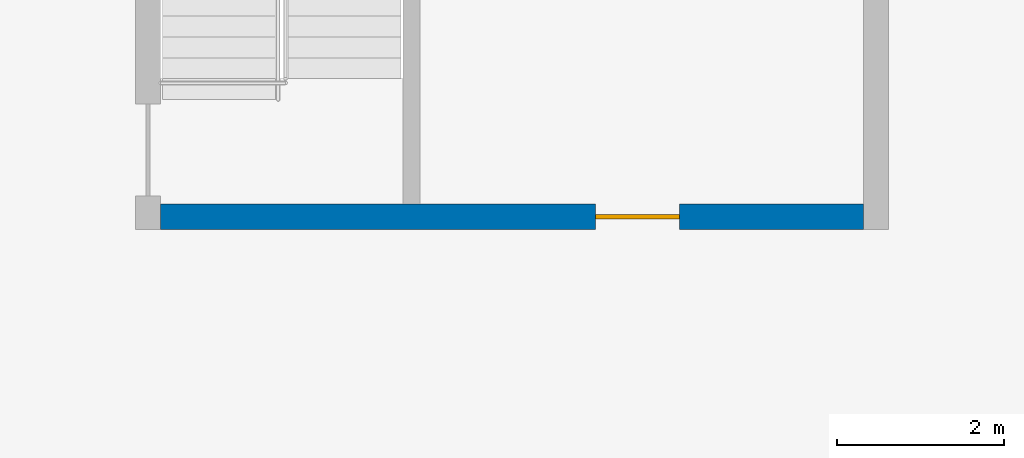
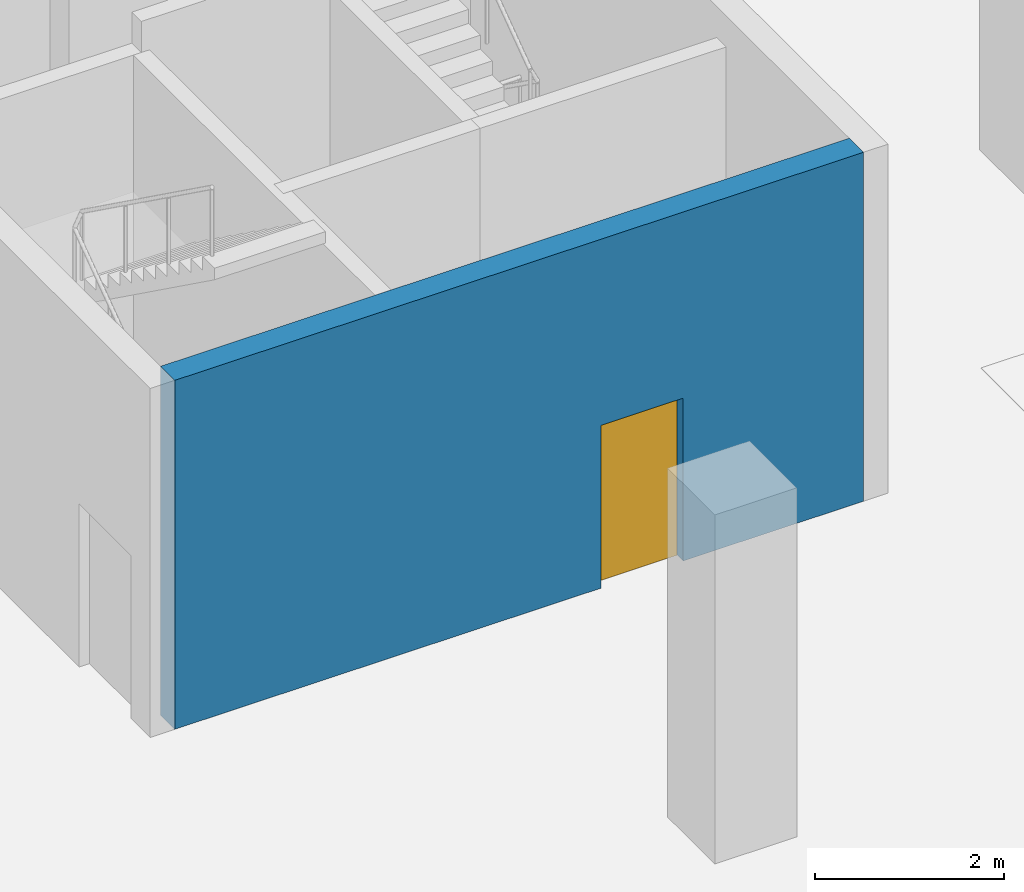
# One storey, part 6 of 16: 1 door, 1 wall, 1 opening.
"""IFC4 building model written with IfcOpenShell, lengths in metres."""

import ifcopenshell
import ifcopenshell.guid

model = None  # the IFC model being written
_history = None  # IfcOwnerHistory: only IFC2X3 demands one
_inside = {}  # id of a spatial element -> (the spatial element, [elements in it])
_under = {}  # id of a project, library or spatial element -> (it, [spatial elements below it])
_declared = {}  # id of a project -> (the project, [libraries it declares])
_typed = {}  # id of a type object -> (the type object, [elements of that type])
_made_of = {}  # id of a material, layer set ... -> (it, [elements and type objects made of it])


def new_model(schema):
    """Start an empty IFC model of exactly this schema.

    Asked for "IFC4X3", IfcOpenShell would pick the latest addendum, in which some entities
    have other attributes; the version numbers below select the first issue.
    IFC2X3 requires an IfcOwnerHistory on every rooted entity: one is made here for all.
    """
    global model, _history
    if schema == "IFC4X3":
        model = ifcopenshell.file(schema_version=(4, 3, 0, 0))
    else:
        model = ifcopenshell.file(schema=schema)
    _inside.clear()
    _under.clear()
    _declared.clear()
    _typed.clear()
    _made_of.clear()
    _history = None
    if model.schema == "IFC2X3":
        org = make("IfcOrganization", Name="unknown")
        user = make(
            "IfcPersonAndOrganization",
            ThePerson=make("IfcPerson", FamilyName="unknown"),
            TheOrganization=org,
        )
        app = make(
            "IfcApplication",
            ApplicationDeveloper=org,
            Version="unknown",
            ApplicationFullName="unknown",
            ApplicationIdentifier="unknown",
        )
        _history = make(
            "IfcOwnerHistory",
            OwningUser=user,
            OwningApplication=app,
            ChangeAction="ADDED",
            CreationDate=0,
        )
    return model


def make(cls, **values):
    """One entity of the class cls with the attributes given. An attribute that is None is left unset."""
    return model.create_entity(
        cls, **{name: value for name, value in values.items() if value is not None}
    )


def rooted(cls, **values):
    """An entity with a GlobalId (a new one), such as an element, a storey or a relation."""
    return make(cls, GlobalId=ifcopenshell.guid.new(), OwnerHistory=_history, **values)


def si_unit(unit_type, name, prefix=None):
    """IfcSIUnit, for example si_unit("LENGTHUNIT", "METRE", prefix="MILLI")."""
    return make("IfcSIUnit", UnitType=unit_type, Prefix=prefix, Name=name)


def assignment(units):
    """IfcUnitAssignment: the units of a project."""
    return None if units is None else make("IfcUnitAssignment", Units=units)


def point(xyz):
    """IfcCartesianPoint."""
    return None if xyz is None else make("IfcCartesianPoint", Coordinates=xyz)


def direction(xyz):
    """IfcDirection."""
    return None if xyz is None else make("IfcDirection", DirectionRatios=xyz)


def frame(location, z_axis=None, x_axis=None):
    """IfcAxis2Placement3D, a coordinate frame: its origin and axes. An axis left out is left unset."""
    return make(
        "IfcAxis2Placement3D",
        Location=point(location),
        Axis=direction(z_axis),
        RefDirection=direction(x_axis),
    )


def frame_2d(location, x_axis=None):
    """IfcAxis2Placement2D, a coordinate frame in the plane: its origin and x axis."""
    return make(
        "IfcAxis2Placement2D", Location=point(location), RefDirection=direction(x_axis)
    )


def origin():
    """The frame at (0, 0, 0) with its axes left unset."""
    return frame((0.0, 0.0, 0.0))


def place(relative_to, where):
    """IfcLocalPlacement: puts the frame where relative to a parent placement (None: the world)."""
    return make(
        "IfcLocalPlacement", PlacementRelTo=relative_to, RelativePlacement=where
    )


def context(
    kind, dimensions, precision=None, world=None, true_north=None, identifier=None
):
    """IfcGeometricRepresentationContext, for example the 3D "Model" context."""
    return make(
        "IfcGeometricRepresentationContext",
        ContextIdentifier=identifier,
        ContextType=kind,
        CoordinateSpaceDimension=dimensions,
        Precision=precision,
        WorldCoordinateSystem=world,
        TrueNorth=true_north,
    )


def subcontext(parent, identifier, kind, view, scale=None):
    """IfcGeometricRepresentationSubContext, for example "Body" below "Model"."""
    return make(
        "IfcGeometricRepresentationSubContext",
        ContextIdentifier=identifier,
        ContextType=kind,
        ParentContext=parent,
        TargetScale=scale,
        TargetView=view,
    )


def project(units=None, contexts=None):
    """IfcProject with its units and contexts."""
    return rooted(
        "IfcProject",
        Name="project",
        RepresentationContexts=contexts,
        UnitsInContext=assignment(units),
    )


def spatial(cls, under=None, at=None, **own):
    """A site, building, storey or space (cls), placed at a placement, below another one or the project."""
    s = rooted(cls, ObjectPlacement=at, **own)
    if under is not None:
        _under.setdefault(under.id(), (under, []))[1].append(s)
    return s


def profile(cls, at=None, kind="AREA", **sizes):
    """A parametric profile (cls). Its sizes go by their IFC names, for example OverallWidth=200.0."""
    return make(cls, ProfileType=kind, Position=at, **sizes)


def rectangle(**sizes):
    """IfcRectangleProfileDef."""
    return profile("IfcRectangleProfileDef", **sizes)


def extrude(swept, where, along, depth):
    """IfcExtrudedAreaSolid: the profile swept, set in the frame where, extruded along a direction by depth."""
    return make(
        "IfcExtrudedAreaSolid",
        SweptArea=swept,
        Position=where,
        ExtrudedDirection=direction(along),
        Depth=depth,
    )


def shape(context_of_items, identifier, shape_type, items):
    """IfcShapeRepresentation: the items that make up one representation, for example the "Body"."""
    return make(
        "IfcShapeRepresentation",
        ContextOfItems=context_of_items,
        RepresentationIdentifier=identifier,
        RepresentationType=shape_type,
        Items=items,
    )


def material(Name=None, Category=None):
    """IfcMaterial."""
    return make("IfcMaterial", Name=Name, Category=Category)


def layer(
    of_material, thickness, ventilated=None, Name=None, Category=None, Priority=None
):
    """IfcMaterialLayer: one layer of a wall or slab, of a material (None: an air gap)."""
    return make(
        "IfcMaterialLayer",
        Material=of_material,
        LayerThickness=thickness,
        IsVentilated=ventilated,
        Name=Name,
        Category=Category,
        Priority=Priority,
    )


def layer_set(layers, Name=None):
    """IfcMaterialLayerSet."""
    return make("IfcMaterialLayerSet", MaterialLayers=layers, LayerSetName=Name)


def made_of(thing, what):
    """Note that an element or type object is made of a material, layer set ...; save() writes the relation."""
    if what is not None:
        _made_of.setdefault(what.id(), (what, []))[1].append(thing)
    return thing


def type_object(cls, material=None, **own):
    """A type object (cls), such as IfcWallType, which elements share."""
    return made_of(rooted(cls, **own), material)


def element(
    cls,
    number,
    at=None,
    inside=None,
    cuts=None,
    type_object=None,
    material=None,
    context=None,
    identifier="Body",
    shape_type=None,
    held_by="IfcProductDefinitionShape",
    body=None,
    shapes=None,
    **own,
):
    """One element of the class cls, such as IfcWall. Its Tag is "e" and its number.

    at: its placement. inside: the storey or other place that contains it. cuts: it is an
    opening in that element (IfcRelVoidsElement). A single representation is given by context,
    identifier, shape_type and body (its items); several are given by shapes. held_by: the class
    of the entity that holds the representations. save() writes the other relations.
    """
    e = rooted(cls, Tag="e%d" % number, ObjectPlacement=at, **own)
    if body is not None:
        shapes = [shape(context, identifier, shape_type, body)]
    if shapes is not None:
        e.Representation = make(held_by, Representations=shapes)
    if inside is not None:
        _inside.setdefault(inside.id(), (inside, []))[1].append(e)
    if cuts is not None:
        rooted(
            "IfcRelVoidsElement", RelatingBuildingElement=cuts, RelatedOpeningElement=e
        )
    if type_object is not None:
        _typed.setdefault(type_object.id(), (type_object, []))[1].append(e)
    return made_of(e, material)


def fill(opening, filler):
    """IfcRelFillsElement: the door or window that sits in an opening."""
    return rooted(
        "IfcRelFillsElement",
        RelatingOpeningElement=opening,
        RelatedBuildingElement=filler,
    )


def aggregate(whole, parts):
    """IfcRelAggregates: a whole, such as a stair, and the parts it consists of."""
    return rooted("IfcRelAggregates", RelatingObject=whole, RelatedObjects=parts)


def save(model, path):
    """Write the relations noted so far, then the file.

    IfcRelAggregates (storeys below a building ...), IfcRelContainedInSpatialStructure (elements
    in a storey), IfcRelDefinesByType, IfcRelAssociatesMaterial and IfcRelDeclares: one each for
    every whole, place, type object, material and project.
    """
    for whole, parts in _under.values():
        aggregate(whole, parts)
    for where, things in _inside.values():
        rooted(
            "IfcRelContainedInSpatialStructure",
            RelatedElements=things,
            RelatingStructure=where,
        )
    for kind, things in _typed.values():
        rooted("IfcRelDefinesByType", RelatedObjects=things, RelatingType=kind)
    for what, things in _made_of.values():
        rooted("IfcRelAssociatesMaterial", RelatedObjects=things, RelatingMaterial=what)
    for by, libraries in _declared.values():
        rooted("IfcRelDeclares", RelatingContext=by, RelatedDefinitions=libraries)
    model.write(path)


model = new_model("IFC4")

# Units and contexts
model_context = context("Model", 3, precision=1e-05, world=origin(), true_north=direction((0.0, 1.0)))
body_context = subcontext(model_context, "Body", "Model", "MODEL_VIEW")
ifc_project = project(units=[si_unit("LENGTHUNIT", "METRE"), si_unit("AREAUNIT", "SQUARE_METRE"), si_unit("VOLUMEUNIT", "CUBIC_METRE"), si_unit("PLANEANGLEUNIT", "RADIAN"), si_unit("MASSUNIT", "GRAM", prefix="KILO")], contexts=[model_context])

# Site, building, storey
site_placement = place(None, origin())
site = spatial("IfcSite", under=ifc_project, at=site_placement, CompositionType="ELEMENT")
building_placement = place(site_placement, origin())
building = spatial("IfcBuilding", under=site, at=building_placement, Name="Quoin Convention Tower", CompositionType="ELEMENT")
storey_placement = place(building_placement, frame((0.0, 0.0, -4.5)))
storey = spatial("IfcBuildingStorey", under=building, at=storey_placement, Name="B1", CompositionType="ELEMENT", Elevation=-4.5)

# Wall, opening, door
ifc_material_1 = material(Name="Concrete C100 (100 MPa)", Category="concrete")
ifc_layer = layer(ifc_material_1, 0.300048828125)
ifc_layer_set = layer_set([ifc_layer], Name="Concrete C100 (100 MPa)")
wall_type = type_object("IfcWallType", Name="RC CORE WALL 300 C100", PredefinedType="SHEAR", material=ifc_layer_set)
wall_placement = place(storey_placement, frame((40.800048828125, 31.64990234375, 0.0), z_axis=(0.0, 0.0, 1.0), x_axis=(1.0, 0.0, 0.0)))
wall = element("IfcWall", 1, at=wall_placement, inside=storey, type_object=wall_type, Name="cwl-P3-B1-S", PredefinedType="SHEAR", context=body_context, shape_type="SweptSolid", body=[
    extrude(rectangle(XDim=8.39990234375, YDim=0.300048828125, at=frame_2d((4.199951171875, 0.0))), origin(), (0.0, 0.0, 1.0), 4.5),
])
opening_placement = place(wall_placement, frame((5.199951171875, 0.0, 0.0)))
opening = element("IfcOpeningElement", 2, at=opening_placement, cuts=wall, Name="Opening DCV0-61", PredefinedType="OPENING", context=body_context, shape_type="SweptSolid", body=[
    extrude(rectangle(XDim=1.0, YDim=2.10009765625, at=frame_2d((0.5, 1.050048828125))), frame((0.0, 0.159912109375, 0.0), z_axis=(0.0, -1.0, 0.0), x_axis=(1.0, 0.0, 0.0)), (0.0, 0.0, 1.0), 0.320068359375),
])
ifc_material_2 = material(Name="Steel door leaf", Category="steel")
door_type = type_object("IfcDoorType", Name="Service door 1000 x 2100", OperationType="SINGLE_SWING_LEFT", PredefinedType="DOOR", material=ifc_material_2)
door_placement = place(opening_placement, frame((1.0, 0.0, 0.0), z_axis=(0.0, 0.0, 1.0), x_axis=(-1.0, 0.0, 0.0)))
door = element("IfcDoor", 3, at=door_placement, inside=storey, type_object=door_type, Name="cd-P3-B1-R2-S", OperationType="SINGLE_SWING_LEFT", OverallHeight=2.10009765625, OverallWidth=1.0, PredefinedType="DOOR", context=body_context, shape_type="SweptSolid", body=[
    extrude(rectangle(XDim=1.0, YDim=2.10009765625, at=frame_2d((0.5, 1.050048828125))), frame((0.0, 0.02490234375, 0.0), z_axis=(0.0, -1.0, 0.0), x_axis=(1.0, 0.0, 0.0)), (0.0, 0.0, 1.0), 0.050048828125),
])
fill(opening, door)

save(model, "model.ifc")
